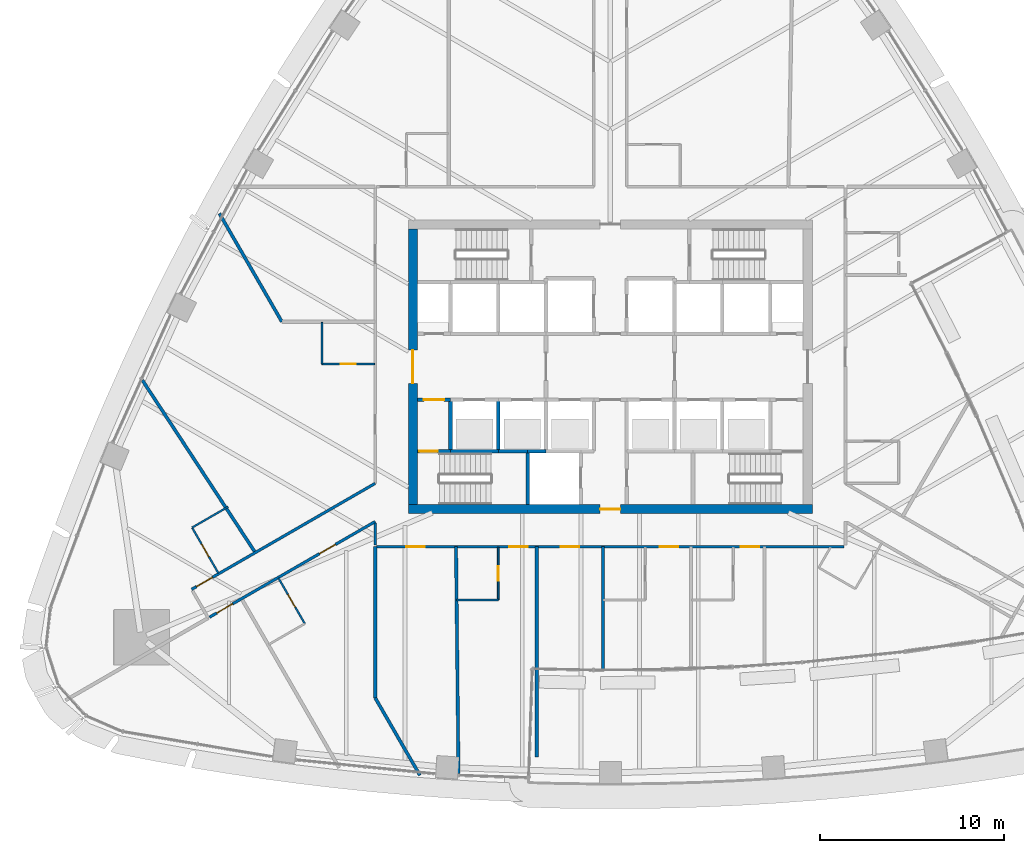
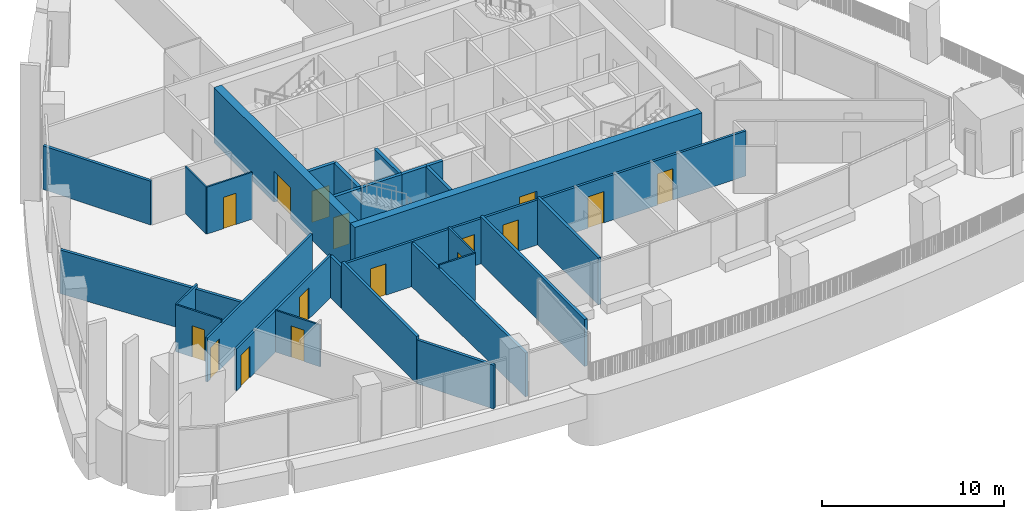
# One storey, part 11 of 22: 28 walls, 16 doors, 16 openings.
"""IFC4 building model written with IfcOpenShell, lengths in metres."""

from ifc_helpers import new_model, si_unit, direction, frame, frame_2d, origin, place, context, subcontext, project, spatial, rectangle, extrude, material, layer, layer_set, type_object, element, fill, save


model = new_model("IFC4")

# Units and contexts
model_context = context("Model", 3, precision=1e-05, world=origin(), true_north=direction((0.0, 1.0)))
body_context = subcontext(model_context, "Body", "Model", "MODEL_VIEW")
ifc_project = project(units=[si_unit("LENGTHUNIT", "METRE"), si_unit("AREAUNIT", "SQUARE_METRE"), si_unit("VOLUMEUNIT", "CUBIC_METRE"), si_unit("PLANEANGLEUNIT", "RADIAN"), si_unit("MASSUNIT", "GRAM", prefix="KILO")], contexts=[model_context])

# Site, building, storey
site_placement = place(None, origin())
site = spatial("IfcSite", under=ifc_project, at=site_placement, CompositionType="ELEMENT")
building_placement = place(site_placement, origin())
building = spatial("IfcBuilding", under=site, at=building_placement, Name="Sierra Prisma Convention Tower", CompositionType="ELEMENT")
storey_placement = place(building_placement, frame((0.0, 0.0, 103.5)))
storey = spatial("IfcBuildingStorey", under=building, at=storey_placement, Name="L22", CompositionType="ELEMENT", Elevation=103.5)

# Wall, opening, door
ifc_material_1 = material(Name="Gypsum board partition", Category="gypsum")
ifc_layer_1 = layer(ifc_material_1, 0.10009765625)
ifc_layer_set_1 = layer_set([ifc_layer_1], Name="Bathroom partition 100")
wall_type_1 = type_object("IfcWallType", Name="Bathroom partition 100", PredefinedType="PARTITIONING", material=ifc_layer_set_1)
wall_1_placement = place(storey_placement, frame((-21.3349609375, -11.243896484375, 0.0), z_axis=(0.0, 0.0, 1.0), x_axis=(-0.499999802827, 0.866025517622, 0.0)))
wall_1 = element("IfcWall", 1, at=wall_1_placement, inside=storey, type_object=wall_type_1, Name="Partition L22 bath 1", PredefinedType="PARTITIONING", context=body_context, shape_type="SweptSolid", body=[
    extrude(rectangle(XDim=2.8701171875, YDim=0.10009765625, at=frame_2d((1.43505859375, 0.0))), origin(), (0.0, 0.0, 1.0), 3.14990234375),
])
opening_1_placement = place(wall_1_placement, frame((1.034912109375, 0.0, 0.0)))
opening_1 = element("IfcOpeningElement", 2, at=opening_1_placement, cuts=wall_1, Name="Opening L22-D009", PredefinedType="OPENING", context=body_context, shape_type="SweptSolid", body=[
    extrude(rectangle(XDim=0.800048828125, YDim=2.10009765625, at=frame_2d((0.39990234375, 1.050048828125))), frame((0.0, 0.050048828125, 0.0), z_axis=(0.0, -1.0, 0.0), x_axis=(1.0, 0.0, 0.0)), (0.0, 0.0, 1.0), 0.10009765625),
])
ifc_material_2 = material(Name="Solid core timber door leaf", Category="wood")
door_type_1 = type_object("IfcDoorType", Name="Door 800x2100 plain", OperationType="SINGLE_SWING_LEFT", PredefinedType="DOOR", material=ifc_material_2)
door_1_placement = place(opening_1_placement, origin())
door_1 = element("IfcDoor", 3, at=door_1_placement, inside=storey, type_object=door_type_1, Name="Door L22 14", OperationType="SINGLE_SWING_RIGHT", OverallHeight=2.10009765625, OverallWidth=0.800048828125, PredefinedType="DOOR", context=body_context, shape_type="SweptSolid", body=[
    extrude(rectangle(XDim=0.800048828125, YDim=2.10009765625, at=frame_2d((0.39990234375, 1.050048828125))), frame((0.0, 0.02490234375, 0.0), z_axis=(0.0, -1.0, 0.0), x_axis=(1.0, 0.0, 0.0)), (0.0, 0.0, 1.0), 0.050048828125),
])
fill(opening_1, door_1)

# Wall
wall_2_placement = place(storey_placement, frame((-22.77001953125, -8.75830078125, 0.0), z_axis=(0.0, 0.0, 1.0), x_axis=(0.866017224141, 0.500014167291, 0.0)))
element("IfcWall", 4, at=wall_2_placement, inside=storey, type_object=wall_type_1, Name="Partition L22 bath 2", PredefinedType="PARTITIONING", context=body_context, shape_type="SweptSolid", body=[
    extrude(rectangle(XDim=2.27001953125, YDim=0.10009765625, at=frame_2d((1.135009765625, 0.0))), origin(), (0.0, 0.0, 1.0), 3.14990234375),
])

# Wall, opening, door
wall_3_placement = place(storey_placement, frame((-18.06787109375, -11.50537109375, 0.0), z_axis=(0.0, 0.0, 1.0), x_axis=(0.500036638401, -0.866004249561, 0.0)))
wall_3 = element("IfcWall", 5, at=wall_3_placement, inside=storey, type_object=wall_type_1, Name="Partition L22 bath 3", PredefinedType="PARTITIONING", context=body_context, shape_type="SweptSolid", body=[
    extrude(rectangle(XDim=2.869873046875, YDim=0.10009765625, at=frame_2d((1.43505859375, 0.0))), origin(), (0.0, 0.0, 1.0), 2.797119140625),
])
opening_2_placement = place(wall_3_placement, frame((1.034912109375, 0.0, 0.0)))
opening_2 = element("IfcOpeningElement", 6, at=opening_2_placement, cuts=wall_3, Name="Opening L22-D010", PredefinedType="OPENING", context=body_context, shape_type="SweptSolid", body=[
    extrude(rectangle(XDim=0.800048828125, YDim=2.10009765625, at=frame_2d((0.39990234375, 1.050048828125))), frame((0.0, 0.050048828125, 0.0), z_axis=(0.0, -1.0, 0.0), x_axis=(1.0, 0.0, 0.0)), (0.0, 0.0, 1.0), 0.10009765625),
])
door_2_placement = place(opening_2_placement, origin())
door_2 = element("IfcDoor", 7, at=door_2_placement, inside=storey, type_object=door_type_1, Name="Door L22 17", OperationType="SINGLE_SWING_LEFT", OverallHeight=2.10009765625, OverallWidth=0.800048828125, PredefinedType="DOOR", context=body_context, shape_type="SweptSolid", body=[
    extrude(rectangle(XDim=0.800048828125, YDim=2.10009765625, at=frame_2d((0.39990234375, 1.050048828125))), frame((0.0, 0.02490234375, 0.0), z_axis=(0.0, -1.0, 0.0), x_axis=(1.0, 0.0, 0.0)), (0.0, 0.0, 1.0), 0.050048828125),
])
fill(opening_2, door_2)

wall_4_placement = place(storey_placement, frame((-12.830078125, 0.149169921875, 0.0), z_axis=(0.0, 0.0, 1.0), x_axis=(-1.0, 0.0, 0.0)))
wall_4 = element("IfcWall", 8, at=wall_4_placement, inside=storey, type_object=wall_type_1, Name="Partition L22 bath 5", PredefinedType="PARTITIONING", context=body_context, shape_type="SweptSolid", body=[
    extrude(rectangle(XDim=2.869873046875, YDim=0.10009765625, at=frame_2d((1.43505859375, 0.0))), origin(), (0.0, 0.0, 1.0), 3.14990234375),
])
opening_3_placement = place(wall_4_placement, frame((1.034912109375, 0.0, 0.0)))
opening_3 = element("IfcOpeningElement", 9, at=opening_3_placement, cuts=wall_4, Name="Opening L22-D008", PredefinedType="OPENING", context=body_context, shape_type="SweptSolid", body=[
    extrude(rectangle(XDim=0.800048828125, YDim=2.10009765625, at=frame_2d((0.39990234375, 1.050048828125))), frame((0.0, 0.050048828125, 0.0), z_axis=(0.0, -1.0, 0.0), x_axis=(1.0, 0.0, 0.0)), (0.0, 0.0, 1.0), 0.10009765625),
])
door_3_placement = place(opening_3_placement, origin())
door_3 = element("IfcDoor", 10, at=door_3_placement, inside=storey, type_object=door_type_1, Name="Door L22 12", OperationType="SINGLE_SWING_RIGHT", OverallHeight=2.10009765625, OverallWidth=0.800048828125, PredefinedType="DOOR", context=body_context, shape_type="SweptSolid", body=[
    extrude(rectangle(XDim=0.800048828125, YDim=2.10009765625, at=frame_2d((0.39990234375, 1.050048828125))), frame((0.0, 0.02490234375, 0.0), z_axis=(0.0, -1.0, 0.0), x_axis=(1.0, 0.0, 0.0)), (0.0, 0.0, 1.0), 0.050048828125),
])
fill(opening_3, door_3)

# Wall
wall_5_placement = place(storey_placement, frame((-15.699951171875, 0.149169921875, 0.0), z_axis=(0.0, 0.0, 1.0), x_axis=(0.0, 1.0, 0.0)))
element("IfcWall", 11, at=wall_5_placement, inside=storey, type_object=wall_type_1, Name="Partition L22 bath 6", PredefinedType="PARTITIONING", context=body_context, shape_type="SweptSolid", body=[
    extrude(rectangle(XDim=2.27001953125, YDim=0.10009765625, at=frame_2d((1.135009765625, 0.0))), origin(), (0.0, 0.0, 1.0), 3.14990234375),
])

# Wall, opening, door
wall_6_placement = place(storey_placement, frame((-6.10009765625, -9.830078125, 0.0), z_axis=(0.0, 0.0, 1.0), x_axis=(0.0, -1.0, 0.0)))
wall_6 = element("IfcWall", 12, at=wall_6_placement, inside=storey, type_object=wall_type_1, Name="Partition L22 bath 9", PredefinedType="PARTITIONING", context=body_context, shape_type="SweptSolid", body=[
    extrude(rectangle(XDim=2.869873046875, YDim=0.10009765625, at=frame_2d((1.43505859375, 0.0))), origin(), (0.0, 0.0, 1.0), 3.14990234375),
])
opening_4_placement = place(wall_6_placement, frame((1.034912109375, 0.0, 0.0)))
opening_4 = element("IfcOpeningElement", 13, at=opening_4_placement, cuts=wall_6, Name="Opening L22-D011", PredefinedType="OPENING", context=body_context, shape_type="SweptSolid", body=[
    extrude(rectangle(XDim=0.800048828125, YDim=2.10009765625, at=frame_2d((0.39990234375, 1.050048828125))), frame((0.0, 0.050048828125, 0.0), z_axis=(0.0, -1.0, 0.0), x_axis=(1.0, 0.0, 0.0)), (0.0, 0.0, 1.0), 0.10009765625),
])
door_4_placement = place(opening_4_placement, origin())
door_4 = element("IfcDoor", 14, at=door_4_placement, inside=storey, type_object=door_type_1, Name="Door L22 20", OperationType="SINGLE_SWING_LEFT", OverallHeight=2.10009765625, OverallWidth=0.800048828125, PredefinedType="DOOR", context=body_context, shape_type="SweptSolid", body=[
    extrude(rectangle(XDim=0.800048828125, YDim=2.10009765625, at=frame_2d((0.39990234375, 1.050048828125))), frame((0.0, 0.02490234375, 0.0), z_axis=(0.0, -1.0, 0.0), x_axis=(1.0, 0.0, 0.0)), (0.0, 0.0, 1.0), 0.050048828125),
])
fill(opening_4, door_4)

# Wall
wall_7_placement = place(storey_placement, frame((-6.10009765625, -12.699951171875, 0.0), z_axis=(0.0, 0.0, 1.0), x_axis=(-1.0, 0.0, 0.0)))
element("IfcWall", 15, at=wall_7_placement, inside=storey, type_object=wall_type_1, Name="Partition L22 bath 10", PredefinedType="PARTITIONING", context=body_context, shape_type="SweptSolid", body=[
    extrude(rectangle(XDim=2.27001953125, YDim=0.10009765625, at=frame_2d((1.135009765625, 0.0))), origin(), (0.0, 0.0, 1.0), 3.14990234375),
])

# Wall, opening, door
ifc_material_3 = material(Name="Concrete C30/37", Category="concrete")
ifc_layer_2 = layer(ifc_material_3, 0.199951171875)
ifc_layer_set_2 = layer_set([ifc_layer_2], Name="Core wall RC 200 C30/37")
wall_type_2 = type_object("IfcWallType", Name="Core wall RC 200 C30/37", PredefinedType="SOLIDWALL", material=ifc_layer_set_2)
wall_8_placement = place(storey_placement, frame((-10.5, -4.60009765625, 0.0), z_axis=(0.0, 0.0, 1.0), x_axis=(1.0, 0.0, 0.0)))
wall_8 = element("IfcWall", 16, at=wall_8_placement, inside=storey, type_object=wall_type_2, Name="Core wall L22 1", PredefinedType="SOLIDWALL", context=body_context, shape_type="SweptSolid", body=[
    extrude(rectangle(XDim=1.800048828125, YDim=0.199951171875, at=frame_2d((0.89990234375, 0.0))), origin(), (0.0, 0.0, 1.0), 3.550048828125),
])
opening_5_placement = place(wall_8_placement, frame((0.10009765625, 0.0, 0.0)))
opening_5 = element("IfcOpeningElement", 17, at=opening_5_placement, cuts=wall_8, Name="Opening L22-D033", PredefinedType="OPENING", context=body_context, shape_type="SweptSolid", body=[
    extrude(rectangle(XDim=1.0, YDim=2.10009765625, at=frame_2d((0.5, 1.050048828125))), frame((0.0, 0.10009765625, 0.0), z_axis=(0.0, -1.0, 0.0), x_axis=(1.0, 0.0, 0.0)), (0.0, 0.0, 1.0), 0.199951171875),
])
ifc_material_4 = material(Name="Steel fire door leaf", Category="steel")
door_type_2 = type_object("IfcDoorType", Name="Door 1000x2100 FD90S", OperationType="SINGLE_SWING_LEFT", PredefinedType="DOOR", material=ifc_material_4)
door_5_placement = place(opening_5_placement, origin())
door_5 = element("IfcDoor", 18, at=door_5_placement, inside=storey, type_object=door_type_2, Name="Door L22 48", OperationType="SINGLE_SWING_LEFT", OverallHeight=2.10009765625, OverallWidth=1.0, PredefinedType="DOOR", context=body_context, shape_type="SweptSolid", body=[
    extrude(rectangle(XDim=1.0, YDim=2.10009765625, at=frame_2d((0.5, 1.050048828125))), frame((0.0, 0.02490234375, 0.0), z_axis=(0.0, -1.0, 0.0), x_axis=(1.0, 0.0, 0.0)), (0.0, 0.0, 1.0), 0.050048828125),
])
fill(opening_5, door_5)

wall_9_placement = place(storey_placement, frame((-10.5, -1.800048828125, 0.0), z_axis=(0.0, 0.0, 1.0), x_axis=(1.0, 0.0, 0.0)))
wall_9 = element("IfcWall", 19, at=wall_9_placement, inside=storey, type_object=wall_type_2, Name="Core wall L22 2", PredefinedType="SOLIDWALL", context=body_context, shape_type="SweptSolid", body=[
    extrude(rectangle(XDim=1.800048828125, YDim=0.199951171875, at=frame_2d((0.89990234375, 0.0))), origin(), (0.0, 0.0, 1.0), 3.550048828125),
])
opening_6_placement = place(wall_9_placement, frame((0.35009765625, 0.0, 0.0)))
opening_6 = element("IfcOpeningElement", 20, at=opening_6_placement, cuts=wall_9, Name="Opening L22-D027", PredefinedType="OPENING", context=body_context, shape_type="SweptSolid", body=[
    extrude(rectangle(XDim=1.10009765625, YDim=2.10009765625, at=frame_2d((0.550048828125, 1.050048828125))), frame((0.0, 0.10009765625, 0.0), z_axis=(0.0, -1.0, 0.0), x_axis=(1.0, 0.0, 0.0)), (0.0, 0.0, 1.0), 0.199951171875),
])
ifc_material_5 = material(Name="Steel fire door leaf", Category="steel")
door_type_3 = type_object("IfcDoorType", Name="Door 1100x2100 FD90S", OperationType="SINGLE_SWING_LEFT", PredefinedType="DOOR", material=ifc_material_5)
door_6_placement = place(opening_6_placement, origin())
door_6 = element("IfcDoor", 21, at=door_6_placement, inside=storey, type_object=door_type_3, Name="Door L22 42", OperationType="SINGLE_SWING_RIGHT", OverallHeight=2.10009765625, OverallWidth=1.10009765625, PredefinedType="DOOR", context=body_context, shape_type="SweptSolid", body=[
    extrude(rectangle(XDim=1.10009765625, YDim=2.10009765625, at=frame_2d((0.550048828125, 1.050048828125))), frame((0.0, 0.02490234375, 0.0), z_axis=(0.0, -1.0, 0.0), x_axis=(1.0, 0.0, 0.0)), (0.0, 0.0, 1.0), 0.050048828125),
])
fill(opening_6, door_6)

# Walls
wall_10_placement = place(storey_placement, frame((-8.699951171875, -4.60009765625, 0.0), z_axis=(0.0, 0.0, 1.0), x_axis=(1.0, 0.0, 0.0)))
element("IfcWall", 22, at=wall_10_placement, inside=storey, type_object=wall_type_2, Name="Core wall L22 5", PredefinedType="SOLIDWALL", context=body_context, shape_type="SweptSolid", body=[
    extrude(rectangle(XDim=2.599853515625, YDim=0.199951171875, at=frame_2d((1.2998046875, 0.0))), origin(), (0.0, 0.0, 1.0), 3.550048828125),
])
wall_11_placement = place(storey_placement, frame((-8.699951171875, -4.60009765625, 0.0), z_axis=(0.0, 0.0, 1.0), x_axis=(0.0, 1.0, 0.0)))
element("IfcWall", 23, at=wall_11_placement, inside=storey, type_object=wall_type_2, Name="Core wall L22 6", PredefinedType="SOLIDWALL", context=body_context, shape_type="SweptSolid", body=[
    extrude(rectangle(XDim=2.800048828125, YDim=0.199951171875, at=frame_2d((1.39990234375, 0.0))), origin(), (0.0, 0.0, 1.0), 3.550048828125),
])
wall_12_placement = place(storey_placement, frame((-6.10009765625, -4.60009765625, 0.0), z_axis=(0.0, 0.0, 1.0), x_axis=(1.0, 0.0, 0.0)))
element("IfcWall", 24, at=wall_12_placement, inside=storey, type_object=wall_type_2, Name="Core wall L22 11", PredefinedType="SOLIDWALL", context=body_context, shape_type="SweptSolid", body=[
    extrude(rectangle(XDim=1.60009765625, YDim=0.199951171875, at=frame_2d((0.800048828125, 0.0))), origin(), (0.0, 0.0, 1.0), 3.550048828125),
])
wall_13_placement = place(storey_placement, frame((-6.10009765625, -4.60009765625, 0.0), z_axis=(0.0, 0.0, 1.0), x_axis=(0.0, 1.0, 0.0)))
element("IfcWall", 25, at=wall_13_placement, inside=storey, type_object=wall_type_2, Name="Core wall L22 12", PredefinedType="SOLIDWALL", context=body_context, shape_type="SweptSolid", body=[
    extrude(rectangle(XDim=2.800048828125, YDim=0.199951171875, at=frame_2d((1.39990234375, 0.0))), origin(), (0.0, 0.0, 1.0), 3.550048828125),
])
wall_14_placement = place(storey_placement, frame((-4.5, -4.60009765625, 0.0), z_axis=(0.0, 0.0, 1.0), x_axis=(0.0, -1.0, 0.0)))
element("IfcWall", 26, at=wall_14_placement, inside=storey, type_object=wall_type_2, Name="Core wall L22 17", PredefinedType="SOLIDWALL", context=body_context, shape_type="SweptSolid", body=[
    extrude(rectangle(XDim=2.89990234375, YDim=0.199951171875, at=frame_2d((1.449951171875, 0.0))), origin(), (0.0, 0.0, 1.0), 3.550048828125),
])
wall_15_placement = place(storey_placement, frame((-4.5, -4.60009765625, 0.0), z_axis=(0.0, 0.0, 1.0), x_axis=(1.0, 0.0, 0.0)))
element("IfcWall", 27, at=wall_15_placement, inside=storey, type_object=wall_type_2, Name="Core wall L22 18", PredefinedType="SOLIDWALL", context=body_context, shape_type="SweptSolid", body=[
    extrude(rectangle(XDim=1.0, YDim=0.199951171875, at=frame_2d((0.5, 0.0))), origin(), (0.0, 0.0, 1.0), 3.550048828125),
])

# Wall, opening, door
ifc_material_6 = material(Name="Concrete C60/75", Category="concrete")
ifc_layer_3 = layer(ifc_material_6, 0.5)
ifc_layer_set_3 = layer_set([ifc_layer_3], Name="Core wall RC 500 C60/75")
wall_type_3 = type_object("IfcWallType", Name="Core wall RC 500 C60/75", PredefinedType="SHEAR", material=ifc_layer_set_3)
wall_16_placement = place(storey_placement, frame((-11.0, -7.75, 0.0), z_axis=(0.0, 0.0, 1.0), x_axis=(1.0, 0.0, 0.0)))
wall_16 = element("IfcWall", 28, at=wall_16_placement, inside=storey, type_object=wall_type_3, Name="Core wall S L22", PredefinedType="SHEAR", context=body_context, shape_type="SweptSolid", body=[
    extrude(rectangle(XDim=22.0, YDim=0.5, at=frame_2d((11.0, 0.0))), origin(), (0.0, 0.0, 1.0), 3.699951171875),
])
opening_7_placement = place(wall_16_placement, frame((10.449951171875, 0.0, 0.0)))
opening_7 = element("IfcOpeningElement", 29, at=opening_7_placement, cuts=wall_16, Name="Opening L22-D058", PredefinedType="OPENING", context=body_context, shape_type="SweptSolid", body=[
    extrude(rectangle(XDim=1.10009765625, YDim=2.10009765625, at=frame_2d((0.550048828125, 1.050048828125))), frame((0.0, 0.25, 0.0), z_axis=(0.0, -1.0, 0.0), x_axis=(1.0, 0.0, 0.0)), (0.0, 0.0, 1.0), 0.5),
])
ifc_material_7 = material(Name="Steel fire door leaf", Category="steel")
door_type_4 = type_object("IfcDoorType", Name="Door 1100x2100 FD30S", OperationType="SINGLE_SWING_LEFT", PredefinedType="DOOR", material=ifc_material_7)
door_7_placement = place(opening_7_placement, origin())
door_7 = element("IfcDoor", 30, at=door_7_placement, inside=storey, type_object=door_type_4, Name="Door L22 56", OperationType="SINGLE_SWING_LEFT", OverallHeight=2.10009765625, OverallWidth=1.10009765625, PredefinedType="DOOR", context=body_context, shape_type="SweptSolid", body=[
    extrude(rectangle(XDim=1.10009765625, YDim=2.10009765625, at=frame_2d((0.550048828125, 1.050048828125))), frame((0.0, 0.02490234375, 0.0), z_axis=(0.0, -1.0, 0.0), x_axis=(1.0, 0.0, 0.0)), (0.0, 0.0, 1.0), 0.050048828125),
])
fill(opening_7, door_7)

wall_17_placement = place(storey_placement, frame((-10.75, -7.5, 0.0), z_axis=(0.0, 0.0, 1.0), x_axis=(0.0, 1.0, 0.0)))
wall_17 = element("IfcWall", 31, at=wall_17_placement, inside=storey, type_object=wall_type_3, Name="Core wall W L22", PredefinedType="SHEAR", context=body_context, shape_type="SweptSolid", body=[
    extrude(rectangle(XDim=15.0, YDim=0.5, at=frame_2d((7.5, 0.0))), origin(), (0.0, 0.0, 1.0), 3.699951171875),
])
opening_8_placement = place(wall_17_placement, frame((6.60009765625, 0.0, 0.0)))
opening_8 = element("IfcOpeningElement", 32, at=opening_8_placement, cuts=wall_17, Name="Opening L22-D059", PredefinedType="OPENING", context=body_context, shape_type="SweptSolid", body=[
    extrude(rectangle(XDim=1.800048828125, YDim=2.10009765625, at=frame_2d((0.89990234375, 1.050048828125))), frame((0.0, 0.25, 0.0), z_axis=(0.0, -1.0, 0.0), x_axis=(1.0, 0.0, 0.0)), (0.0, 0.0, 1.0), 0.5),
])
ifc_material_8 = material(Name="Steel fire door leaf", Category="steel")
door_type_5 = type_object("IfcDoorType", Name="Door 1800x2100 FD60S", OperationType="DOUBLE_DOOR_SINGLE_SWING", PredefinedType="DOOR", material=ifc_material_8)
door_8_placement = place(opening_8_placement, origin())
door_8 = element("IfcDoor", 33, at=door_8_placement, inside=storey, type_object=door_type_5, Name="Door L22 53", OperationType="DOUBLE_DOOR_SINGLE_SWING", OverallHeight=2.10009765625, OverallWidth=1.800048828125, PredefinedType="DOOR", context=body_context, shape_type="SweptSolid", body=[
    extrude(rectangle(XDim=1.800048828125, YDim=2.10009765625, at=frame_2d((0.89990234375, 1.050048828125))), frame((0.0, 0.02490234375, 0.0), z_axis=(0.0, -1.0, 0.0), x_axis=(1.0, 0.0, 0.0)), (0.0, 0.0, 1.0), 0.050048828125),
])
fill(opening_8, door_8)

ifc_material_9 = material(Name="Gypsum board partition", Category="gypsum")
ifc_layer_4 = layer(ifc_material_9, 0.14990234375)
ifc_layer_set_4 = layer_set([ifc_layer_4], Name="Corridor wall 150 gypsum EI 60")
wall_type_4 = type_object("IfcWallType", Name="Corridor wall 150 gypsum EI 60", PredefinedType="PARTITIONING", material=ifc_layer_set_4)
wall_18_placement = place(storey_placement, frame((-12.800048828125, -6.350830078125, 0.0), z_axis=(0.0, 0.0, 1.0), x_axis=(-0.866023496323, -0.500003303805, 0.0)))
wall_18 = element("IfcWall", 34, at=wall_18_placement, inside=storey, type_object=wall_type_4, Name="Partition L22 corr 1", PredefinedType="PARTITIONING", context=body_context, shape_type="SweptSolid", body=[
    extrude(rectangle(XDim=11.5380859375, YDim=0.14990234375, at=frame_2d((5.76904296875, 0.0))), origin(), (0.0, 0.0, 1.0), 2.947021484375),
])
opening_9_placement = place(wall_18_placement, frame((10.238037109375, 0.0, 0.0)))
opening_9 = element("IfcOpeningElement", 35, at=opening_9_placement, cuts=wall_18, Name="Opening L22-D045", PredefinedType="OPENING", context=body_context, shape_type="SweptSolid", body=[
    extrude(rectangle(XDim=1.0, YDim=2.10009765625, at=frame_2d((0.5, 1.050048828125))), frame((0.0, 0.074951171875, 0.0), z_axis=(0.0, -1.0, 0.0), x_axis=(1.0, 0.0, 0.0)), (0.0, 0.0, 1.0), 0.14990234375),
])
ifc_material_10 = material(Name="Steel fire door leaf", Category="steel")
door_type_6 = type_object("IfcDoorType", Name="Door 1000x2100 FD30S", OperationType="SINGLE_SWING_LEFT", PredefinedType="DOOR", material=ifc_material_10)
door_9_placement = place(opening_9_placement, origin())
door_9 = element("IfcDoor", 36, at=door_9_placement, inside=storey, type_object=door_type_6, Name="Door L22 13", OperationType="SINGLE_SWING_RIGHT", OverallHeight=2.10009765625, OverallWidth=1.0, PredefinedType="DOOR", context=body_context, shape_type="SweptSolid", body=[
    extrude(rectangle(XDim=1.0, YDim=2.10009765625, at=frame_2d((0.5, 1.050048828125))), frame((0.0, 0.02490234375, 0.0), z_axis=(0.0, -1.0, 0.0), x_axis=(1.0, 0.0, 0.0)), (0.0, 0.0, 1.0), 0.050048828125),
])
fill(opening_9, door_9)

# Wall, openings, doors
wall_19_placement = place(storey_placement, frame((-21.822998046875, -13.638671875, 0.0), z_axis=(0.0, 0.0, 1.0), x_axis=(0.86602247392, 0.500005074639, 0.0)))
wall_19 = element("IfcWall", 37, at=wall_19_placement, inside=storey, type_object=wall_type_4, Name="Partition L22 corr 3", PredefinedType="PARTITIONING", context=body_context, shape_type="SweptSolid", body=[
    extrude(rectangle(XDim=10.4189453125, YDim=0.14990234375, at=frame_2d((5.20947265625, 0.0))), origin(), (0.0, 0.0, 1.0), 2.797119140625),
])
opening_10_placement = place(wall_19_placement, frame((0.459228515625, 0.0, 0.0)))
opening_10 = element("IfcOpeningElement", 38, at=opening_10_placement, cuts=wall_19, Name="Opening L22-D046", PredefinedType="OPENING", context=body_context, shape_type="SweptSolid", body=[
    extrude(rectangle(XDim=1.0, YDim=2.10009765625, at=frame_2d((0.5, 1.050048828125))), frame((0.0, 0.074951171875, 0.0), z_axis=(0.0, -1.0, 0.0), x_axis=(1.0, 0.0, 0.0)), (0.0, 0.0, 1.0), 0.14990234375),
])
opening_11_placement = place(wall_19_placement, frame((6.918701171875, 0.0, 0.0)))
opening_11 = element("IfcOpeningElement", 39, at=opening_11_placement, cuts=wall_19, Name="Opening L22-D047", PredefinedType="OPENING", context=body_context, shape_type="SweptSolid", body=[
    extrude(rectangle(XDim=1.0, YDim=2.10009765625, at=frame_2d((0.5, 1.050048828125))), frame((0.0, 0.074951171875, 0.0), z_axis=(0.0, -1.0, 0.0), x_axis=(1.0, 0.0, 0.0)), (0.0, 0.0, 1.0), 0.14990234375),
])
door_10_placement = place(opening_10_placement, origin())
door_10 = element("IfcDoor", 40, at=door_10_placement, inside=storey, type_object=door_type_6, Name="Door L22 15", OperationType="SINGLE_SWING_LEFT", OverallHeight=2.10009765625, OverallWidth=1.0, PredefinedType="DOOR", context=body_context, shape_type="SweptSolid", body=[
    extrude(rectangle(XDim=1.0, YDim=2.10009765625, at=frame_2d((0.5, 1.050048828125))), frame((0.0, 0.02490234375, 0.0), z_axis=(0.0, -1.0, 0.0), x_axis=(1.0, 0.0, 0.0)), (0.0, 0.0, 1.0), 0.050048828125),
])
fill(opening_10, door_10)
door_11_placement = place(opening_11_placement, origin())
door_11 = element("IfcDoor", 41, at=door_11_placement, inside=storey, type_object=door_type_6, Name="Door L22 16", OperationType="SINGLE_SWING_LEFT", OverallHeight=2.10009765625, OverallWidth=1.0, PredefinedType="DOOR", context=body_context, shape_type="SweptSolid", body=[
    extrude(rectangle(XDim=1.0, YDim=2.10009765625, at=frame_2d((0.5, 1.050048828125))), frame((0.0, 0.02490234375, 0.0), z_axis=(0.0, -1.0, 0.0), x_axis=(1.0, 0.0, 0.0)), (0.0, 0.0, 1.0), 0.050048828125),
])
fill(opening_11, door_11)

# Wall
wall_20_placement = place(storey_placement, frame((-12.800048828125, -8.52099609375, 0.0), z_axis=(0.0, 0.0, 1.0), x_axis=(0.0, -1.0, 0.0)))
element("IfcWall", 42, at=wall_20_placement, inside=storey, type_object=wall_type_4, Name="Partition L22 corr 4", PredefinedType="PARTITIONING", context=body_context, shape_type="SweptSolid", body=[
    extrude(rectangle(XDim=1.198974609375, YDim=0.14990234375, at=frame_2d((0.599609375, 0.0))), origin(), (0.0, 0.0, 1.0), 2.797119140625),
])

# Wall, openings, doors
wall_21_placement = place(storey_placement, frame((-12.719970703125, -9.800048828125, 0.0), z_axis=(0.0, 0.0, 1.0), x_axis=(1.0, 0.0, 0.0)))
wall_21 = element("IfcWall", 43, at=wall_21_placement, inside=storey, type_object=wall_type_4, Name="Partition L22 corr 6", PredefinedType="PARTITIONING", context=body_context, shape_type="SweptSolid", body=[
    extrude(rectangle(XDim=25.43994140625, YDim=0.14990234375, at=frame_2d((12.719970703125, 0.0))), origin(), (0.0, 0.0, 1.0), 3.01708984375),
])
opening_12_placement = place(wall_21_placement, frame((1.6201171875, 0.0, 0.0)))
opening_12 = element("IfcOpeningElement", 44, at=opening_12_placement, cuts=wall_21, Name="Opening L22-D048", PredefinedType="OPENING", context=body_context, shape_type="SweptSolid", body=[
    extrude(rectangle(XDim=1.0, YDim=2.10009765625, at=frame_2d((0.5, 1.050048828125))), frame((0.0, 0.074951171875, 0.0), z_axis=(0.0, -1.0, 0.0), x_axis=(1.0, 0.0, 0.0)), (0.0, 0.0, 1.0), 0.14990234375),
])
opening_13_placement = place(wall_21_placement, frame((7.219970703125, 0.0, 0.0)))
opening_13 = element("IfcOpeningElement", 45, at=opening_13_placement, cuts=wall_21, Name="Opening L22-D049", PredefinedType="OPENING", context=body_context, shape_type="SweptSolid", body=[
    extrude(rectangle(XDim=1.0, YDim=2.10009765625, at=frame_2d((0.5, 1.050048828125))), frame((0.0, 0.074951171875, 0.0), z_axis=(0.0, -1.0, 0.0), x_axis=(1.0, 0.0, 0.0)), (0.0, 0.0, 1.0), 0.14990234375),
])
opening_14_placement = place(wall_21_placement, frame((10.02001953125, 0.0, 0.0)))
opening_14 = element("IfcOpeningElement", 46, at=opening_14_placement, cuts=wall_21, Name="Opening L22-D050", PredefinedType="OPENING", context=body_context, shape_type="SweptSolid", body=[
    extrude(rectangle(XDim=1.0, YDim=2.10009765625, at=frame_2d((0.5, 1.050048828125))), frame((0.0, 0.074951171875, 0.0), z_axis=(0.0, -1.0, 0.0), x_axis=(1.0, 0.0, 0.0)), (0.0, 0.0, 1.0), 0.14990234375),
])
opening_15_placement = place(wall_21_placement, frame((15.419921875, 0.0, 0.0)))
opening_15 = element("IfcOpeningElement", 47, at=opening_15_placement, cuts=wall_21, Name="Opening L22-D051", PredefinedType="OPENING", context=body_context, shape_type="SweptSolid", body=[
    extrude(rectangle(XDim=1.0, YDim=2.10009765625, at=frame_2d((0.5, 1.050048828125))), frame((0.0, 0.074951171875, 0.0), z_axis=(0.0, -1.0, 0.0), x_axis=(1.0, 0.0, 0.0)), (0.0, 0.0, 1.0), 0.14990234375),
])
opening_16_placement = place(wall_21_placement, frame((19.820068359375, 0.0, 0.0)))
opening_16 = element("IfcOpeningElement", 48, at=opening_16_placement, cuts=wall_21, Name="Opening L22-D052", PredefinedType="OPENING", context=body_context, shape_type="SweptSolid", body=[
    extrude(rectangle(XDim=1.0, YDim=2.10009765625, at=frame_2d((0.5, 1.050048828125))), frame((0.0, 0.074951171875, 0.0), z_axis=(0.0, -1.0, 0.0), x_axis=(1.0, 0.0, 0.0)), (0.0, 0.0, 1.0), 0.14990234375),
])
door_12_placement = place(opening_12_placement, origin())
door_12 = element("IfcDoor", 49, at=door_12_placement, inside=storey, type_object=door_type_6, Name="Door L22 18", OperationType="SINGLE_SWING_LEFT", OverallHeight=2.10009765625, OverallWidth=1.0, PredefinedType="DOOR", context=body_context, shape_type="SweptSolid", body=[
    extrude(rectangle(XDim=1.0, YDim=2.10009765625, at=frame_2d((0.5, 1.050048828125))), frame((0.0, 0.02490234375, 0.0), z_axis=(0.0, -1.0, 0.0), x_axis=(1.0, 0.0, 0.0)), (0.0, 0.0, 1.0), 0.050048828125),
])
fill(opening_12, door_12)
door_13_placement = place(opening_13_placement, origin())
door_13 = element("IfcDoor", 50, at=door_13_placement, inside=storey, type_object=door_type_6, Name="Door L22 19", OperationType="SINGLE_SWING_LEFT", OverallHeight=2.10009765625, OverallWidth=1.0, PredefinedType="DOOR", context=body_context, shape_type="SweptSolid", body=[
    extrude(rectangle(XDim=1.0, YDim=2.10009765625, at=frame_2d((0.5, 1.050048828125))), frame((0.0, 0.02490234375, 0.0), z_axis=(0.0, -1.0, 0.0), x_axis=(1.0, 0.0, 0.0)), (0.0, 0.0, 1.0), 0.050048828125),
])
fill(opening_13, door_13)
door_14_placement = place(opening_14_placement, origin())
door_14 = element("IfcDoor", 51, at=door_14_placement, inside=storey, type_object=door_type_6, Name="Door L22 21", OperationType="SINGLE_SWING_LEFT", OverallHeight=2.10009765625, OverallWidth=1.0, PredefinedType="DOOR", context=body_context, shape_type="SweptSolid", body=[
    extrude(rectangle(XDim=1.0, YDim=2.10009765625, at=frame_2d((0.5, 1.050048828125))), frame((0.0, 0.02490234375, 0.0), z_axis=(0.0, -1.0, 0.0), x_axis=(1.0, 0.0, 0.0)), (0.0, 0.0, 1.0), 0.050048828125),
])
fill(opening_14, door_14)
door_15_placement = place(opening_15_placement, origin())
door_15 = element("IfcDoor", 52, at=door_15_placement, inside=storey, type_object=door_type_6, Name="Door L22 22", OperationType="SINGLE_SWING_LEFT", OverallHeight=2.10009765625, OverallWidth=1.0, PredefinedType="DOOR", context=body_context, shape_type="SweptSolid", body=[
    extrude(rectangle(XDim=1.0, YDim=2.10009765625, at=frame_2d((0.5, 1.050048828125))), frame((0.0, 0.02490234375, 0.0), z_axis=(0.0, -1.0, 0.0), x_axis=(1.0, 0.0, 0.0)), (0.0, 0.0, 1.0), 0.050048828125),
])
fill(opening_15, door_15)
door_16_placement = place(opening_16_placement, origin())
door_16 = element("IfcDoor", 53, at=door_16_placement, inside=storey, type_object=door_type_6, Name="Door L22 24", OperationType="SINGLE_SWING_LEFT", OverallHeight=2.10009765625, OverallWidth=1.0, PredefinedType="DOOR", context=body_context, shape_type="SweptSolid", body=[
    extrude(rectangle(XDim=1.0, YDim=2.10009765625, at=frame_2d((0.5, 1.050048828125))), frame((0.0, 0.02490234375, 0.0), z_axis=(0.0, -1.0, 0.0), x_axis=(1.0, 0.0, 0.0)), (0.0, 0.0, 1.0), 0.050048828125),
])
fill(opening_16, door_16)

# Walls
ifc_material_11 = material(Name="Acoustic gypsum board partition", Category="gypsum")
ifc_layer_5 = layer(ifc_material_11, 0.175048828125)
ifc_layer_set_5 = layer_set([ifc_layer_5], Name="Guest room party wall 175 acoustic EI 60")
wall_type_5 = type_object("IfcWallType", Name="Guest room party wall 175 acoustic EI 60", PredefinedType="PARTITIONING", material=ifc_layer_set_5)
wall_22_placement = place(storey_placement, frame((-19.328125, -10.119873046875, 0.0), z_axis=(0.0, 0.0, 1.0), x_axis=(-0.548041487863, 0.836451150744, 0.0)))
element("IfcWall", 54, at=wall_22_placement, inside=storey, type_object=wall_type_5, Name="Partition L22 hparty 2", PredefinedType="PARTITIONING", context=body_context, shape_type="SweptSolid", body=[
    extrude(rectangle(XDim=11.21533203125, YDim=0.175048828125, at=frame_2d((5.607666015625, 0.0))), origin(), (0.0, 0.0, 1.0), 2.93408203125),
])
wall_23_placement = place(storey_placement, frame((-21.282958984375, 8.341796875, 0.0), z_axis=(0.0, 0.0, 1.0), x_axis=(0.500028898749, -0.866008718441, 0.0)))
element("IfcWall", 55, at=wall_23_placement, inside=storey, type_object=wall_type_5, Name="Partition L22 hparty 3", PredefinedType="PARTITIONING", context=body_context, shape_type="SweptSolid", body=[
    extrude(rectangle(XDim=6.80419921875, YDim=0.175048828125, at=frame_2d((3.402099609375, 0.0))), origin(), (0.0, 0.0, 1.0), 2.93408203125),
])
wall_24_placement = place(storey_placement, frame((-12.800048828125, -9.800048828125, 0.0), z_axis=(0.0, 0.0, 1.0), x_axis=(0.0, -1.0, 0.0)))
element("IfcWall", 56, at=wall_24_placement, inside=storey, type_object=wall_type_5, Name="Partition L22 hparty 7", PredefinedType="PARTITIONING", context=body_context, shape_type="SweptSolid", body=[
    extrude(rectangle(XDim=8.229248046875, YDim=0.175048828125, at=frame_2d((4.11474609375, 0.0))), origin(), (0.0, 0.0, 1.0), 3.14990234375),
])
wall_25_placement = place(storey_placement, frame((-12.800048828125, -18.029296875, 0.0), z_axis=(0.0, 0.0, 1.0), x_axis=(0.500007611576, -0.866021009194, 0.0)))
element("IfcWall", 57, at=wall_25_placement, inside=storey, type_object=wall_type_5, Name="Partition L22 hparty 8", PredefinedType="PARTITIONING", context=body_context, shape_type="SweptSolid", body=[
    extrude(rectangle(XDim=4.86669921875, YDim=0.175048828125, at=frame_2d((2.433349609375, 0.0))), origin(), (0.0, 0.0, 1.0), 2.93408203125),
])
wall_26_placement = place(storey_placement, frame((-8.265380859375, -22.14306640625, 0.0), z_axis=(0.0, 0.0, 1.0), x_axis=(-0.010897942505, 0.999940615661, 0.0)))
element("IfcWall", 58, at=wall_26_placement, inside=storey, type_object=wall_type_5, Name="Partition L22 hparty 10", PredefinedType="PARTITIONING", context=body_context, shape_type="SweptSolid", body=[
    extrude(rectangle(XDim=12.34375, YDim=0.175048828125, at=frame_2d((6.171875, 0.0))), origin(), (0.0, 0.0, 1.0), 2.93408203125),
])
wall_27_placement = place(storey_placement, frame((-4.0, -9.800048828125, 0.0), z_axis=(0.0, 0.0, 1.0), x_axis=(0.0, -1.0, 0.0)))
element("IfcWall", 59, at=wall_27_placement, inside=storey, type_object=wall_type_5, Name="Partition L22 hparty 11", PredefinedType="PARTITIONING", context=body_context, shape_type="SweptSolid", body=[
    extrude(rectangle(XDim=11.4453125, YDim=0.175048828125, at=frame_2d((5.72265625, 0.0))), origin(), (0.0, 0.0, 1.0), 3.14990234375),
])
wall_28_placement = place(storey_placement, frame((-0.39990234375, -16.514892578125, 0.0), z_axis=(0.0, 0.0, 1.0), x_axis=(0.0, 1.0, 0.0)))
element("IfcWall", 60, at=wall_28_placement, inside=storey, type_object=wall_type_5, Name="Partition L22 hparty 12", PredefinedType="PARTITIONING", context=body_context, shape_type="SweptSolid", body=[
    extrude(rectangle(XDim=6.71484375, YDim=0.175048828125, at=frame_2d((3.357421875, 0.0))), origin(), (0.0, 0.0, 1.0), 3.14990234375),
])

save(model, "model.ifc")
